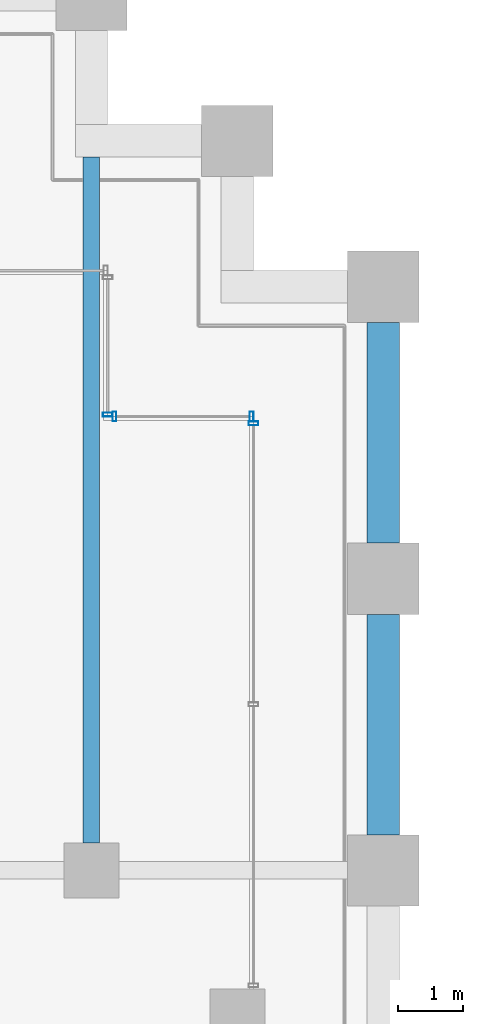
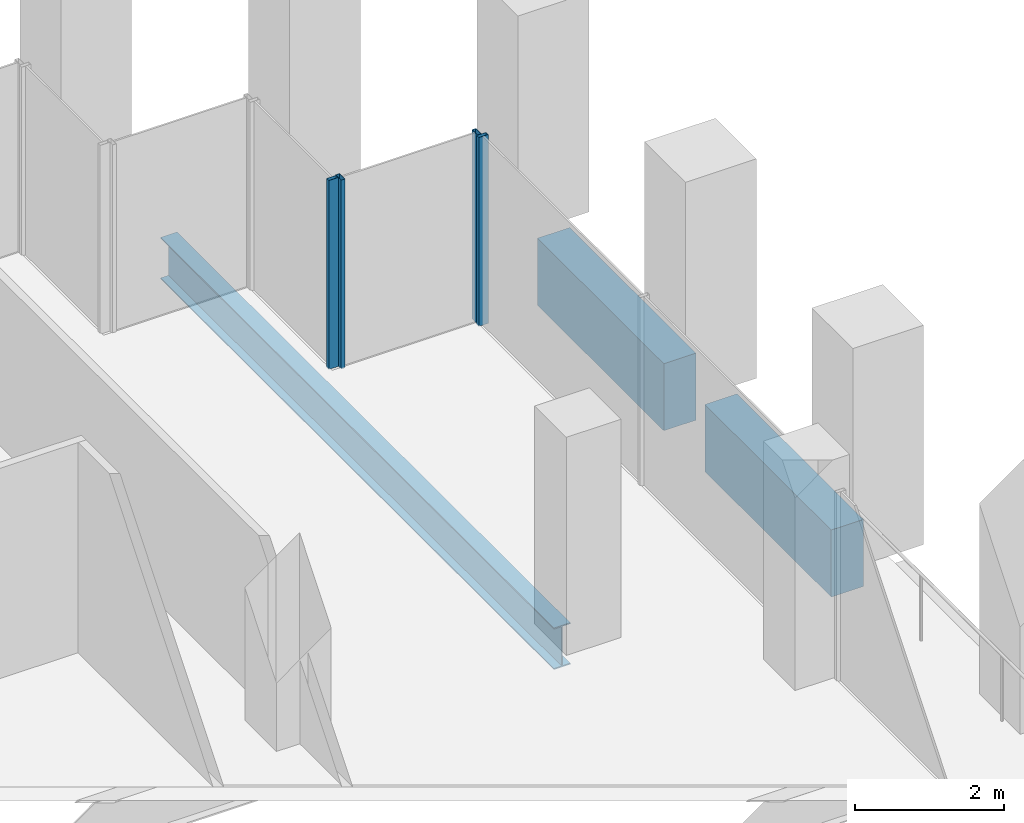
# One storey, part 31 of 54: 4 members, 3 beams, 3 elements without a shape of their own.
"""IFC4 building model written with IfcOpenShell, lengths in metres."""

from ifc_helpers import new_model, si_unit, direction, frame, origin, origin_2d, place, context, subcontext, project, spatial, rectangle, hollow_rectangle, i_section, extrude, material, material_profile, profile_set, type_object, element, aggregate, save


model = new_model("IFC4")

# Units and contexts
model_context = context("Model", 3, precision=1e-05, world=origin(), true_north=direction((0.0, 1.0)))
body_context = subcontext(model_context, "Body", "Model", "MODEL_VIEW")
ifc_project = project(units=[si_unit("LENGTHUNIT", "METRE"), si_unit("AREAUNIT", "SQUARE_METRE"), si_unit("VOLUMEUNIT", "CUBIC_METRE"), si_unit("PLANEANGLEUNIT", "RADIAN"), si_unit("MASSUNIT", "GRAM", prefix="KILO")], contexts=[model_context])

# Site, building, storey
site_placement = place(None, origin())
site = spatial("IfcSite", under=ifc_project, at=site_placement, CompositionType="ELEMENT")
building_placement = place(site_placement, origin())
building = spatial("IfcBuilding", under=site, at=building_placement, Name="Altepetl Exchange Towers", CompositionType="ELEMENT")
storey_placement = place(building_placement, frame((0.0, 0.0, 61.800048828125)))
storey = spatial("IfcBuildingStorey", under=building, at=storey_placement, Name="L14", CompositionType="ELEMENT", Elevation=61.800048828125)

# Beam
ifc_material_1 = material(Name="Steel S355", Category="steel")
ifc_material_profile_1 = material_profile(ifc_material_1, i_section(OverallWidth=0.25390625, OverallDepth=0.68408203125, WebThickness=0.012451171875, FlangeThickness=0.018798828125, at=origin_2d()), Name="W27X94")
ifc_profile_set_1 = profile_set([ifc_material_profile_1], Name="Steel S355")
beam_type_1 = type_object("IfcBeamType", Name="Floor beam W27X94", PredefinedType="BEAM", material=ifc_profile_set_1)
beam_placement = place(storey_placement, frame((67.5, 58.925048828125, -0.491943359375), z_axis=(0.0, 1.0, 0.0), x_axis=(-1.0, 0.0, 0.0)))
element("IfcBeam", 1, at=beam_placement, inside=storey, type_object=beam_type_1, Name="bm:A:L14:005", PredefinedType="BEAM", context=body_context, shape_type="SweptSolid", body=[
    extrude(i_section(OverallWidth=0.25390625, OverallDepth=0.68408203125, WebThickness=0.012451171875, FlangeThickness=0.018798828125, at=origin_2d()), origin(), (0.0, 0.0, 1.0), 10.574951171875),
])

# Curtain wall, member
ifc_material_2 = material(Name="Aluminium 6063-T6 glazing", Category="aluminium")
curtain_wall_type = type_object("IfcCurtainWallType", Name="Loggia glazing system", PredefinedType="NOTDEFINED", material=ifc_material_2)
curtain_wall_1_placement = place(storey_placement, origin())
curtain_wall_1 = element("IfcCurtainWall", 2, at=curtain_wall_1_placement, inside=storey, type_object=curtain_wall_type, Name="CW1 run", PredefinedType="NOTDEFINED")
ifc_material_3 = material(Name="Aluminium 6063-T6", Category="aluminium")
ifc_material_profile_2 = material_profile(ifc_material_3, hollow_rectangle(XDim=0.06005859375, YDim=0.14990234375, WallThickness=0.0029296875, at=origin_2d()), Name="Mullion 60x150 aluminium")
ifc_profile_set_2 = profile_set([ifc_material_profile_2], Name="Aluminium 6063-T6")
member_type = type_object("IfcMemberType", Name="Mullion 60x150 aluminium", PredefinedType="MULLION", material=ifc_profile_set_2)
member_1_placement = place(storey_placement, frame((70.0, 65.39501953125, 0.0), z_axis=(0.0, 0.0, 1.0), x_axis=(0.0, 1.0, 0.0)))
member_1 = element("IfcMember", 3, at=member_1_placement, type_object=member_type, Name="MU1 mullion", PredefinedType="MULLION", context=body_context, shape_type="SweptSolid", body=[
    extrude(hollow_rectangle(XDim=0.06005859375, YDim=0.14990234375, WallThickness=0.0029296875, at=origin_2d()), origin(), (0.0, 0.0, 1.0), 3.099853515625),
])
aggregate(curtain_wall_1, [member_1])

# Curtain wall, members
curtain_wall_2_placement = place(storey_placement, origin())
curtain_wall_2 = element("IfcCurtainWall", 4, at=curtain_wall_2_placement, inside=storey, type_object=curtain_wall_type, Name="CW1 run", PredefinedType="NOTDEFINED")
member_2_placement = place(storey_placement, frame((69.969970703125, 65.5, 0.0), z_axis=(0.0, 0.0, 1.0), x_axis=(-1.0, 0.0, 0.0)))
member_2 = element("IfcMember", 5, at=member_2_placement, type_object=member_type, Name="MU1 mullion", PredefinedType="MULLION", context=body_context, shape_type="SweptSolid", body=[
    extrude(hollow_rectangle(XDim=0.06005859375, YDim=0.14990234375, WallThickness=0.0029296875, at=origin_2d()), origin(), (0.0, 0.0, 1.0), 3.099853515625),
])
member_3_placement = place(storey_placement, frame((67.85498046875, 65.5, 0.0), z_axis=(0.0, 0.0, 1.0), x_axis=(-1.0, 0.0, 0.0)))
member_3 = element("IfcMember", 6, at=member_3_placement, type_object=member_type, Name="MU1 mullion", PredefinedType="MULLION", context=body_context, shape_type="SweptSolid", body=[
    extrude(hollow_rectangle(XDim=0.06005859375, YDim=0.14990234375, WallThickness=0.0029296875, at=origin_2d()), origin(), (0.0, 0.0, 1.0), 3.099853515625),
])
aggregate(curtain_wall_2, [member_2, member_3])

# Curtain wall, member
curtain_wall_3_placement = place(storey_placement, origin())
curtain_wall_3 = element("IfcCurtainWall", 7, at=curtain_wall_3_placement, inside=storey, type_object=curtain_wall_type, Name="CW1 run", PredefinedType="NOTDEFINED")
member_4_placement = place(storey_placement, frame((67.75, 65.530029296875, 0.0), z_axis=(0.0, 0.0, 1.0), x_axis=(0.0, 1.0, 0.0)))
member_4 = element("IfcMember", 8, at=member_4_placement, type_object=member_type, Name="MU1 mullion", PredefinedType="MULLION", context=body_context, shape_type="SweptSolid", body=[
    extrude(hollow_rectangle(XDim=0.06005859375, YDim=0.14990234375, WallThickness=0.0029296875, at=origin_2d()), origin(), (0.0, 0.0, 1.0), 3.099853515625),
])
aggregate(curtain_wall_3, [member_4])

# Beams
ifc_material_4 = material(Name="Concrete C50/60 precast with cantera rosa facing", Category="concrete")
ifc_material_profile_3 = material_profile(ifc_material_4, rectangle(XDim=0.5, YDim=1.10009765625, at=origin_2d()), Name="500 x 1100")
ifc_profile_set_3 = profile_set([ifc_material_profile_3], Name="Concrete C50/60 precast with cantera rosa facing")
beam_type_2 = type_object("IfcBeamType", Name="Spandrel beam 500x1100 cantera rosa", PredefinedType="SPANDREL", material=ifc_profile_set_3)
for number, where, z_axis, x_axis, name in (
    (9, (72.0, 59.050048828125, -0.699951171875), (0.0, 1.0, 0.0), (-1.0, 0.0, 0.0), "sp:A:L14:018"),
    (10, (72.0, 63.550048828125, -0.699951171875), (0.0, 1.0, 0.0), (-1.0, 0.0, 0.0), "sp:A:L14:019"),
):
    element("IfcBeam", number, at=place(storey_placement, frame(where, z_axis=z_axis, x_axis=x_axis)), inside=storey, type_object=beam_type_2, Name=name, PredefinedType="SPANDREL", context=body_context, shape_type="SweptSolid", body=[
        extrude(rectangle(XDim=0.5, YDim=1.10009765625, at=origin_2d()), origin(), (0.0, 0.0, 1.0), 3.39990234375),
    ])

save(model, "model.ifc")
